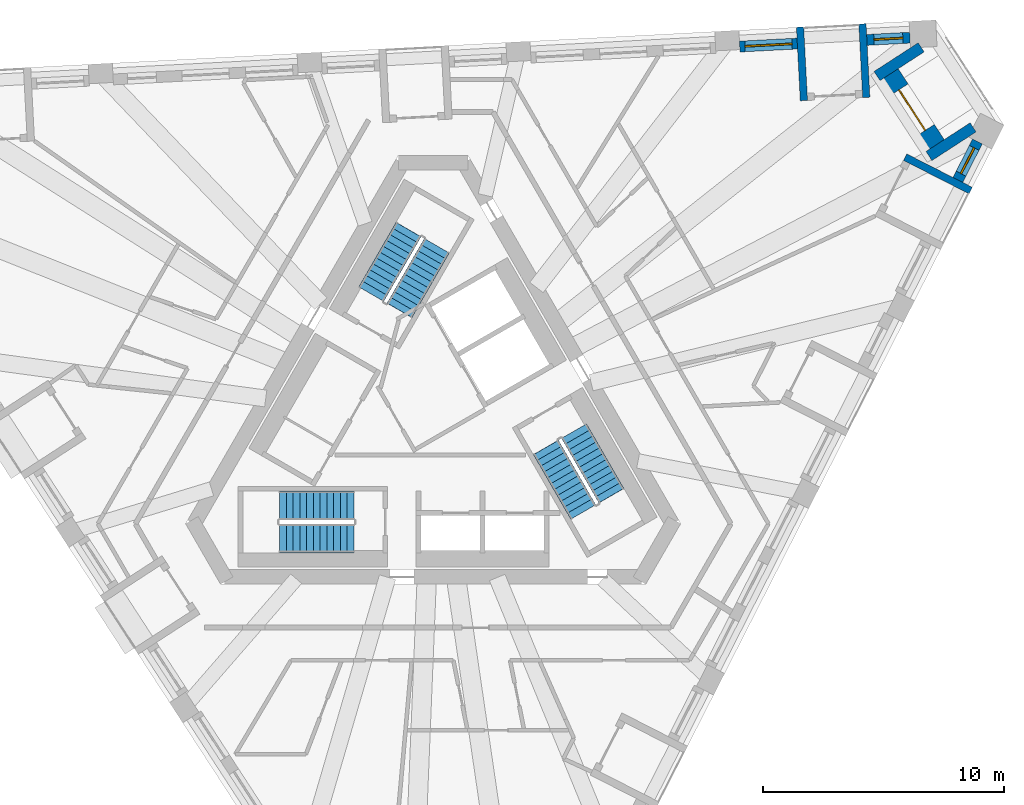
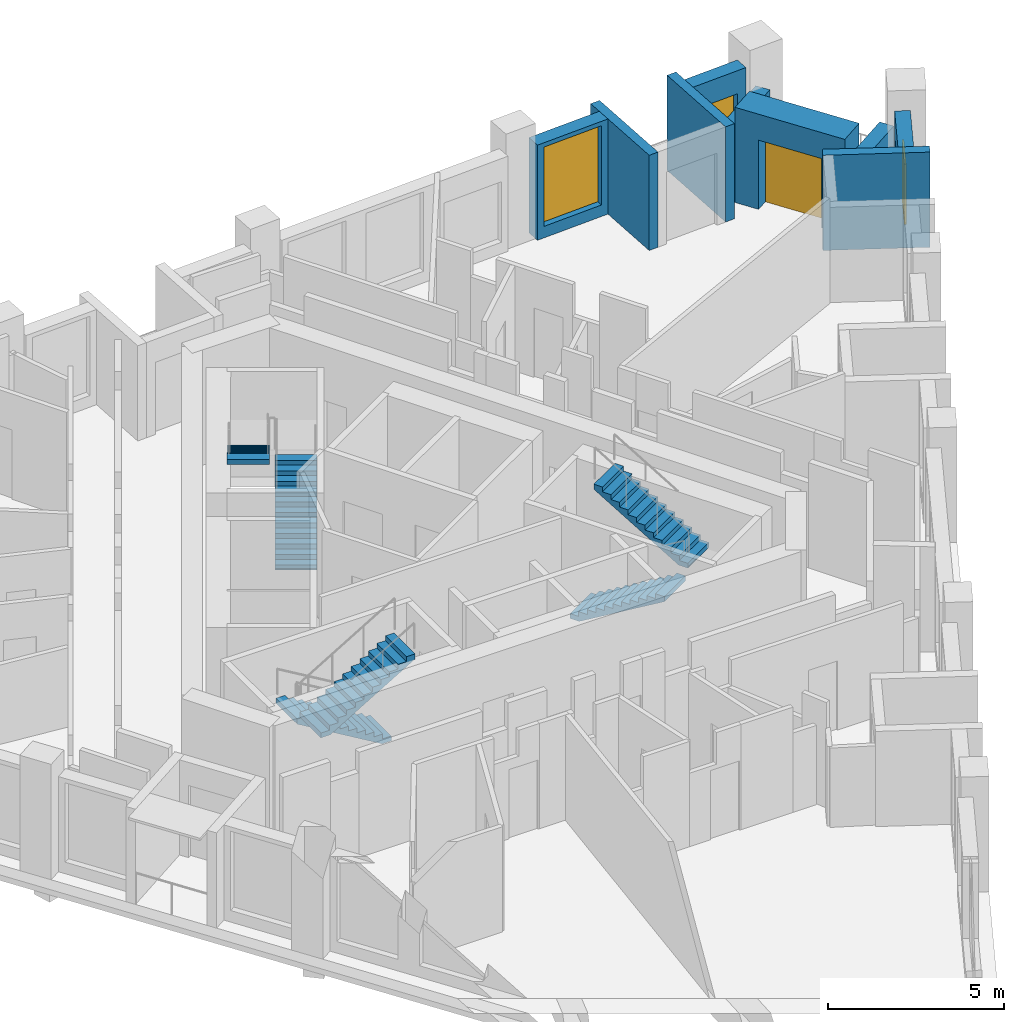
# One storey, part 9 of 13: 9 walls, 6 stair flights, 3 windows, 1 door, 4 openings, 3 elements without a shape of their own.
"""IFC4 building model written with IfcOpenShell, lengths in metres."""

import ifcopenshell
import ifcopenshell.guid

model = None  # the IFC model being written
_history = None  # IfcOwnerHistory: only IFC2X3 demands one
_inside = {}  # id of a spatial element -> (the spatial element, [elements in it])
_under = {}  # id of a project, library or spatial element -> (it, [spatial elements below it])
_declared = {}  # id of a project -> (the project, [libraries it declares])
_typed = {}  # id of a type object -> (the type object, [elements of that type])
_made_of = {}  # id of a material, layer set ... -> (it, [elements and type objects made of it])


def new_model(schema):
    """Start an empty IFC model of exactly this schema.

    Asked for "IFC4X3", IfcOpenShell would pick the latest addendum, in which some entities
    have other attributes; the version numbers below select the first issue.
    IFC2X3 requires an IfcOwnerHistory on every rooted entity: one is made here for all.
    """
    global model, _history
    if schema == "IFC4X3":
        model = ifcopenshell.file(schema_version=(4, 3, 0, 0))
    else:
        model = ifcopenshell.file(schema=schema)
    _inside.clear()
    _under.clear()
    _declared.clear()
    _typed.clear()
    _made_of.clear()
    _history = None
    if model.schema == "IFC2X3":
        org = make("IfcOrganization", Name="unknown")
        user = make(
            "IfcPersonAndOrganization",
            ThePerson=make("IfcPerson", FamilyName="unknown"),
            TheOrganization=org,
        )
        app = make(
            "IfcApplication",
            ApplicationDeveloper=org,
            Version="unknown",
            ApplicationFullName="unknown",
            ApplicationIdentifier="unknown",
        )
        _history = make(
            "IfcOwnerHistory",
            OwningUser=user,
            OwningApplication=app,
            ChangeAction="ADDED",
            CreationDate=0,
        )
    return model


def make(cls, **values):
    """One entity of the class cls with the attributes given. An attribute that is None is left unset."""
    return model.create_entity(
        cls, **{name: value for name, value in values.items() if value is not None}
    )


def rooted(cls, **values):
    """An entity with a GlobalId (a new one), such as an element, a storey or a relation."""
    return make(cls, GlobalId=ifcopenshell.guid.new(), OwnerHistory=_history, **values)


def si_unit(unit_type, name, prefix=None):
    """IfcSIUnit, for example si_unit("LENGTHUNIT", "METRE", prefix="MILLI")."""
    return make("IfcSIUnit", UnitType=unit_type, Prefix=prefix, Name=name)


def assignment(units):
    """IfcUnitAssignment: the units of a project."""
    return None if units is None else make("IfcUnitAssignment", Units=units)


def point(xyz):
    """IfcCartesianPoint."""
    return None if xyz is None else make("IfcCartesianPoint", Coordinates=xyz)


def direction(xyz):
    """IfcDirection."""
    return None if xyz is None else make("IfcDirection", DirectionRatios=xyz)


def frame(location, z_axis=None, x_axis=None):
    """IfcAxis2Placement3D, a coordinate frame: its origin and axes. An axis left out is left unset."""
    return make(
        "IfcAxis2Placement3D",
        Location=point(location),
        Axis=direction(z_axis),
        RefDirection=direction(x_axis),
    )


def frame_2d(location, x_axis=None):
    """IfcAxis2Placement2D, a coordinate frame in the plane: its origin and x axis."""
    return make(
        "IfcAxis2Placement2D", Location=point(location), RefDirection=direction(x_axis)
    )


def origin():
    """The frame at (0, 0, 0) with its axes left unset."""
    return frame((0.0, 0.0, 0.0))


def place(relative_to, where):
    """IfcLocalPlacement: puts the frame where relative to a parent placement (None: the world)."""
    return make(
        "IfcLocalPlacement", PlacementRelTo=relative_to, RelativePlacement=where
    )


def context(
    kind, dimensions, precision=None, world=None, true_north=None, identifier=None
):
    """IfcGeometricRepresentationContext, for example the 3D "Model" context."""
    return make(
        "IfcGeometricRepresentationContext",
        ContextIdentifier=identifier,
        ContextType=kind,
        CoordinateSpaceDimension=dimensions,
        Precision=precision,
        WorldCoordinateSystem=world,
        TrueNorth=true_north,
    )


def subcontext(parent, identifier, kind, view, scale=None):
    """IfcGeometricRepresentationSubContext, for example "Body" below "Model"."""
    return make(
        "IfcGeometricRepresentationSubContext",
        ContextIdentifier=identifier,
        ContextType=kind,
        ParentContext=parent,
        TargetScale=scale,
        TargetView=view,
    )


def project(units=None, contexts=None):
    """IfcProject with its units and contexts."""
    return rooted(
        "IfcProject",
        Name="project",
        RepresentationContexts=contexts,
        UnitsInContext=assignment(units),
    )


def spatial(cls, under=None, at=None, **own):
    """A site, building, storey or space (cls), placed at a placement, below another one or the project."""
    s = rooted(cls, ObjectPlacement=at, **own)
    if under is not None:
        _under.setdefault(under.id(), (under, []))[1].append(s)
    return s


def polyline(points):
    """IfcPolyline through the points."""
    return make("IfcPolyline", Points=[point(p) for p in points])


def profile(cls, at=None, kind="AREA", **sizes):
    """A parametric profile (cls). Its sizes go by their IFC names, for example OverallWidth=200.0."""
    return make(cls, ProfileType=kind, Position=at, **sizes)


def rectangle(**sizes):
    """IfcRectangleProfileDef."""
    return profile("IfcRectangleProfileDef", **sizes)


def outline(outer, holes=None, kind="AREA"):
    """IfcArbitraryClosedProfileDef: a profile drawn as a closed curve; with holes, ...WithVoids."""
    if holes is None:
        return make("IfcArbitraryClosedProfileDef", ProfileType=kind, OuterCurve=outer)
    return make(
        "IfcArbitraryProfileDefWithVoids",
        ProfileType=kind,
        OuterCurve=outer,
        InnerCurves=holes,
    )


def extrude(swept, where, along, depth):
    """IfcExtrudedAreaSolid: the profile swept, set in the frame where, extruded along a direction by depth."""
    return make(
        "IfcExtrudedAreaSolid",
        SweptArea=swept,
        Position=where,
        ExtrudedDirection=direction(along),
        Depth=depth,
    )


def shape(context_of_items, identifier, shape_type, items):
    """IfcShapeRepresentation: the items that make up one representation, for example the "Body"."""
    return make(
        "IfcShapeRepresentation",
        ContextOfItems=context_of_items,
        RepresentationIdentifier=identifier,
        RepresentationType=shape_type,
        Items=items,
    )


def material(Name=None, Category=None):
    """IfcMaterial."""
    return make("IfcMaterial", Name=Name, Category=Category)


def layer(
    of_material, thickness, ventilated=None, Name=None, Category=None, Priority=None
):
    """IfcMaterialLayer: one layer of a wall or slab, of a material (None: an air gap)."""
    return make(
        "IfcMaterialLayer",
        Material=of_material,
        LayerThickness=thickness,
        IsVentilated=ventilated,
        Name=Name,
        Category=Category,
        Priority=Priority,
    )


def layer_set(layers, Name=None):
    """IfcMaterialLayerSet."""
    return make("IfcMaterialLayerSet", MaterialLayers=layers, LayerSetName=Name)


def made_of(thing, what):
    """Note that an element or type object is made of a material, layer set ...; save() writes the relation."""
    if what is not None:
        _made_of.setdefault(what.id(), (what, []))[1].append(thing)
    return thing


def type_object(cls, material=None, **own):
    """A type object (cls), such as IfcWallType, which elements share."""
    return made_of(rooted(cls, **own), material)


def element(
    cls,
    number,
    at=None,
    inside=None,
    cuts=None,
    type_object=None,
    material=None,
    context=None,
    identifier="Body",
    shape_type=None,
    held_by="IfcProductDefinitionShape",
    body=None,
    shapes=None,
    **own,
):
    """One element of the class cls, such as IfcWall. Its Tag is "e" and its number.

    at: its placement. inside: the storey or other place that contains it. cuts: it is an
    opening in that element (IfcRelVoidsElement). A single representation is given by context,
    identifier, shape_type and body (its items); several are given by shapes. held_by: the class
    of the entity that holds the representations. save() writes the other relations.
    """
    e = rooted(cls, Tag="e%d" % number, ObjectPlacement=at, **own)
    if body is not None:
        shapes = [shape(context, identifier, shape_type, body)]
    if shapes is not None:
        e.Representation = make(held_by, Representations=shapes)
    if inside is not None:
        _inside.setdefault(inside.id(), (inside, []))[1].append(e)
    if cuts is not None:
        rooted(
            "IfcRelVoidsElement", RelatingBuildingElement=cuts, RelatedOpeningElement=e
        )
    if type_object is not None:
        _typed.setdefault(type_object.id(), (type_object, []))[1].append(e)
    return made_of(e, material)


def fill(opening, filler):
    """IfcRelFillsElement: the door or window that sits in an opening."""
    return rooted(
        "IfcRelFillsElement",
        RelatingOpeningElement=opening,
        RelatedBuildingElement=filler,
    )


def aggregate(whole, parts):
    """IfcRelAggregates: a whole, such as a stair, and the parts it consists of."""
    return rooted("IfcRelAggregates", RelatingObject=whole, RelatedObjects=parts)


def save(model, path):
    """Write the relations noted so far, then the file.

    IfcRelAggregates (storeys below a building ...), IfcRelContainedInSpatialStructure (elements
    in a storey), IfcRelDefinesByType, IfcRelAssociatesMaterial and IfcRelDeclares: one each for
    every whole, place, type object, material and project.
    """
    for whole, parts in _under.values():
        aggregate(whole, parts)
    for where, things in _inside.values():
        rooted(
            "IfcRelContainedInSpatialStructure",
            RelatedElements=things,
            RelatingStructure=where,
        )
    for kind, things in _typed.values():
        rooted("IfcRelDefinesByType", RelatedObjects=things, RelatingType=kind)
    for what, things in _made_of.values():
        rooted("IfcRelAssociatesMaterial", RelatedObjects=things, RelatingMaterial=what)
    for by, libraries in _declared.values():
        rooted("IfcRelDeclares", RelatingContext=by, RelatedDefinitions=libraries)
    model.write(path)


model = new_model("IFC4")

# Units and contexts
model_context = context("Model", 3, precision=1e-05, world=origin(), true_north=direction((0.0, 1.0)))
body_context = subcontext(model_context, "Body", "Model", "MODEL_VIEW")
ifc_project = project(units=[si_unit("LENGTHUNIT", "METRE"), si_unit("AREAUNIT", "SQUARE_METRE"), si_unit("VOLUMEUNIT", "CUBIC_METRE"), si_unit("PLANEANGLEUNIT", "RADIAN"), si_unit("MASSUNIT", "GRAM", prefix="KILO")], contexts=[model_context])

# Site, building, storey
site_placement = place(None, origin())
site = spatial("IfcSite", under=ifc_project, at=site_placement, CompositionType="ELEMENT")
building_placement = place(site_placement, origin())
building = spatial("IfcBuilding", under=site, at=building_placement, Name="Tramontana Tower", CompositionType="ELEMENT")
storey_placement = place(building_placement, frame((0.0, 0.0, 290.39990234375)))
storey = spatial("IfcBuildingStorey", under=building, at=storey_placement, Name="L68", CompositionType="ELEMENT", Elevation=290.39990234375)

# Wall, opening, window
ifc_material_1 = material(Name="Precast concrete 60 MPa", Category="concrete")
ifc_layer_1 = layer(ifc_material_1, 0.449951171875)
ifc_layer_set_1 = layer_set([ifc_layer_1], Name="Precast concrete 60 MPa, 450 mm")
wall_type_1 = type_object("IfcWallType", Name="EW1 Stone-faced precast wall 450", PredefinedType="SOLIDWALL", material=ifc_layer_set_1)
wall_1_placement = place(storey_placement, frame((21.727783203125, 9.98828125, 0.0), z_axis=(0.0, 0.0, 1.0), x_axis=(0.454032211525, 0.890985269742, 0.0)))
wall_1 = element("IfcWall", 1, at=wall_1_placement, inside=storey, type_object=wall_type_1, Name="External wall L68 face 1 bay 5", PredefinedType="SOLIDWALL", context=body_context, shape_type="SweptSolid", body=[
    extrude(rectangle(XDim=1.786865234375, YDim=0.449951171875, at=frame_2d((0.8935546875, 0.0))), origin(), (0.0, 0.0, 1.0), 3.300048828125),
])
opening_1_placement = place(wall_1_placement, frame((0.29345703125, 0.0, 0.39990234375)))
opening_1 = element("IfcOpeningElement", 2, at=opening_1_placement, cuts=wall_1, Name="Opening N3L", PredefinedType="OPENING", context=body_context, shape_type="SweptSolid", body=[
    extrude(rectangle(XDim=1.199951171875, YDim=2.10009765625, at=frame_2d((0.60009765625, 1.050048828125))), frame((0.0, 0.23486328125, 0.0), z_axis=(0.0, -1.0, 0.0), x_axis=(1.0, 0.0, 0.0)), (0.0, 0.0, 1.0), 0.469970703125),
])
ifc_material_2 = material(Name="Aluminum frame, double glazing unit", Category="aluminium")
window_type_1 = type_object("IfcWindowType", Name="N3L Window 1.2 x 2.1", PartitioningType="SINGLE_PANEL", PredefinedType="WINDOW", material=ifc_material_2)
window_1_placement = place(opening_1_placement, origin())
window_1 = element("IfcWindow", 3, at=window_1_placement, inside=storey, type_object=window_type_1, Name="Window N3L L68 face 1 module 15", OverallHeight=2.10009765625, OverallWidth=1.199951171875, PartitioningType="SINGLE_PANEL", PredefinedType="WINDOW", context=body_context, shape_type="SweptSolid", body=[
    extrude(rectangle(XDim=1.199951171875, YDim=2.10009765625, at=frame_2d((0.60009765625, 1.050048828125))), frame((0.0, 0.030029296875, 0.0), z_axis=(0.0, -1.0, 0.0), x_axis=(1.0, 0.0, 0.0)), (0.0, 0.0, 1.0), 0.06005859375),
])
fill(opening_1, window_1)

wall_2_placement = place(storey_placement, frame((19.74658203125, 15.880126953125, 0.0), z_axis=(0.0, 0.0, 1.0), x_axis=(-0.998629506551, -0.052336494391, 0.0)))
wall_2 = element("IfcWall", 4, at=wall_2_placement, inside=storey, type_object=wall_type_1, Name="External wall L68 face 2 bay 1", PredefinedType="SOLIDWALL", context=body_context, shape_type="SweptSolid", body=[
    extrude(rectangle(XDim=1.78662109375, YDim=0.449951171875, at=frame_2d((0.893310546875, 0.0))), origin(), (0.0, 0.0, 1.0), 3.300048828125),
])
opening_2_placement = place(wall_2_placement, frame((0.29345703125, 0.0, 0.39990234375)))
opening_2 = element("IfcOpeningElement", 5, at=opening_2_placement, cuts=wall_2, Name="Opening N3L", PredefinedType="OPENING", context=body_context, shape_type="SweptSolid", body=[
    extrude(rectangle(XDim=1.199951171875, YDim=2.10009765625, at=frame_2d((0.60009765625, 1.050048828125))), frame((0.0, 0.23486328125, 0.0), z_axis=(0.0, -1.0, 0.0), x_axis=(1.0, 0.0, 0.0)), (0.0, 0.0, 1.0), 0.469970703125),
])
window_2_placement = place(opening_2_placement, origin())
window_2 = element("IfcWindow", 6, at=window_2_placement, inside=storey, type_object=window_type_1, Name="Window N3L L68 face 2 module 1", OverallHeight=2.10009765625, OverallWidth=1.199951171875, PartitioningType="SINGLE_PANEL", PredefinedType="WINDOW", context=body_context, shape_type="SweptSolid", body=[
    extrude(rectangle(XDim=1.199951171875, YDim=2.10009765625, at=frame_2d((0.60009765625, 1.050048828125))), frame((0.0, 0.030029296875, 0.0), z_axis=(0.0, -1.0, 0.0), x_axis=(1.0, 0.0, 0.0)), (0.0, 0.0, 1.0), 0.06005859375),
])
fill(opening_2, window_2)

wall_3_placement = place(storey_placement, frame((15.07958984375, 15.6357421875, 0.0), z_axis=(0.0, 0.0, 1.0), x_axis=(-0.998627701279, -0.052370929331, 0.0)))
wall_3 = element("IfcWall", 7, at=wall_3_placement, inside=storey, type_object=wall_type_1, Name="External wall L68 face 2 bay 1", PredefinedType="SOLIDWALL", context=body_context, shape_type="SweptSolid", body=[
    extrude(rectangle(XDim=2.38671875, YDim=0.449951171875, at=frame_2d((1.193359375, 0.0))), origin(), (0.0, 0.0, 1.0), 3.300048828125),
])
opening_3_placement = place(wall_3_placement, frame((0.21826171875, 0.0, 0.39990234375)))
opening_3 = element("IfcOpeningElement", 8, at=opening_3_placement, cuts=wall_3, Name="Opening M3", PredefinedType="OPENING", context=body_context, shape_type="SweptSolid", body=[
    extrude(rectangle(XDim=1.949951171875, YDim=2.75, at=frame_2d((0.97509765625, 1.375))), frame((0.0, 0.23486328125, 0.0), z_axis=(0.0, -1.0, 0.0), x_axis=(1.0, 0.0, 0.0)), (0.0, 0.0, 1.0), 0.469970703125),
])
ifc_material_3 = material(Name="Aluminum frame, double glazing unit", Category="aluminium")
window_type_2 = type_object("IfcWindowType", Name="M3 Window 1.95 x 2.75", PartitioningType="SINGLE_PANEL", PredefinedType="WINDOW", material=ifc_material_3)
window_3_placement = place(opening_3_placement, origin())
window_3 = element("IfcWindow", 9, at=window_3_placement, inside=storey, type_object=window_type_2, Name="Window M3 L68 face 2 module 3", OverallHeight=2.75, OverallWidth=1.949951171875, PartitioningType="SINGLE_PANEL", PredefinedType="WINDOW", context=body_context, shape_type="SweptSolid", body=[
    extrude(rectangle(XDim=1.949951171875, YDim=2.75, at=frame_2d((0.97509765625, 1.375))), frame((0.0, 0.030029296875, 0.0), z_axis=(0.0, -1.0, 0.0), x_axis=(1.0, 0.0, 0.0)), (0.0, 0.0, 1.0), 0.06005859375),
])
fill(opening_3, window_3)

# Walls
for number, where, z_axis, x_axis, name in (
    (10, (20.209228515625, 15.478759765625, 0.0), (0.0, 0.0, 1.0), (-0.838694375731, -0.544602372486, 0.0), "Corner loggia side wall L68 K72l"),
    (11, (22.3603515625, 12.166015625, 0.0), (0.0, 0.0, 1.0), (-0.838694375731, -0.544602372486, 0.0), "Corner loggia side wall L68 K72r"),
):
    element("IfcWall", number, at=place(storey_placement, frame(where, z_axis=z_axis, x_axis=x_axis)), inside=storey, type_object=wall_type_1, Name=name, PredefinedType="SOLIDWALL", context=body_context, shape_type="SweptSolid", body=[
        extrude(rectangle(XDim=2.17919921875, YDim=0.449951171875, at=frame_2d((1.089599609375, 0.0))), origin(), (0.0, 0.0, 1.0), 2.550048828125),
    ])

# Wall, opening, door
ifc_material_4 = material(Name="Precast concrete 60 MPa", Category="concrete")
ifc_layer_2 = layer(ifc_material_4, 0.89990234375)
ifc_layer_set_2 = layer_set([ifc_layer_2], Name="EW2 Stone-faced corner loggia wall 900")
wall_type_2 = type_object("IfcWallType", Name="EW2 Stone-faced corner loggia wall 900", PredefinedType="SOLIDWALL", material=ifc_layer_set_2)
wall_4_placement = place(storey_placement, frame((18.88134765625, 14.348388671875, 0.0), z_axis=(0.0, 0.0, 1.0), x_axis=(0.544647498784, -0.838665071449, 0.0)))
wall_4 = element("IfcWall", 12, at=wall_4_placement, inside=storey, type_object=wall_type_2, Name="Corner loggia wall L68 K72", PredefinedType="SOLIDWALL", context=body_context, shape_type="SweptSolid", body=[
    extrude(rectangle(XDim=3.5, YDim=0.89990234375, at=frame_2d((1.75, 0.0))), origin(), (0.0, 0.0, 1.0), 3.300048828125),
])
opening_4_placement = place(wall_4_placement, frame((0.75, 0.0, 0.0)))
opening_4 = element("IfcOpeningElement", 13, at=opening_4_placement, cuts=wall_4, Name="Opening BD-72C", PredefinedType="OPENING", context=body_context, shape_type="SweptSolid", body=[
    extrude(rectangle(XDim=2.0, YDim=2.39990234375, at=frame_2d((1.0, 1.199951171875))), frame((0.0, 0.4599609375, 0.0), z_axis=(0.0, -1.0, 0.0), x_axis=(1.0, 0.0, 0.0)), (0.0, 0.0, 1.0), 0.919921875),
])
ifc_material_5 = material(Name="Aluminum frame, double glazing unit", Category="aluminium")
door_type = type_object("IfcDoorType", Name="BC1 Sliding door 2 x 2.4", OperationType="SLIDING_TO_LEFT", PredefinedType="DOOR", material=ifc_material_5)
door_placement = place(opening_4_placement, origin())
door = element("IfcDoor", 14, at=door_placement, inside=storey, type_object=door_type, Name="Corner loggia door L68 K72", OperationType="SLIDING_TO_LEFT", OverallHeight=2.39990234375, OverallWidth=2.0, PredefinedType="DOOR", context=body_context, shape_type="SweptSolid", body=[
    extrude(rectangle(XDim=2.0, YDim=2.39990234375, at=frame_2d((1.0, 1.199951171875))), frame((0.0, 0.02490234375, 0.0), z_axis=(0.0, -1.0, 0.0), x_axis=(1.0, 0.0, 0.0)), (0.0, 0.0, 1.0), 0.050048828125),
])
fill(opening_4, door)

# Walls
ifc_material_6 = material(Name="Precast concrete 60 MPa", Category="concrete")
ifc_layer_3 = layer(ifc_material_6, 0.300048828125)
ifc_layer_set_3 = layer_set([ifc_layer_3], Name="LW1 Stone-faced loggia wall 300")
wall_type_3 = type_object("IfcWallType", Name="LW1 Stone-faced loggia wall 300", PredefinedType="SOLIDWALL", material=ifc_layer_set_3)
wall_5_placement = place(storey_placement, frame((22.26123046875, 9.54833984375, 0.0), z_axis=(0.0, 0.0, 1.0), x_axis=(-0.891040107702, 0.453924582355, 0.0)))
element("IfcWall", 15, at=wall_5_placement, inside=storey, type_object=wall_type_3, Name="Loggia return L68 G7S1.13b", PredefinedType="SOLIDWALL", context=body_context, shape_type="SweptSolid", body=[
    extrude(rectangle(XDim=3.050048828125, YDim=0.300048828125, at=frame_2d((1.52490234375, 0.0))), origin(), (0.0, 0.0, 1.0), 3.300048828125),
])
wall_6_placement = place(storey_placement, frame((17.777099609375, 16.452880859375, 0.0), z_axis=(0.0, 0.0, 1.0), x_axis=(0.052352956549, -0.998628643661, 0.0)))
element("IfcWall", 16, at=wall_6_placement, inside=storey, type_object=wall_type_3, Name="Loggia return L68 G7S2.1a", PredefinedType="SOLIDWALL", context=body_context, shape_type="SweptSolid", body=[
    extrude(rectangle(XDim=3.0498046875, YDim=0.300048828125, at=frame_2d((1.52490234375, 0.0))), origin(), (0.0, 0.0, 1.0), 3.300048828125),
])
wall_7_placement = place(storey_placement, frame((15.19384765625, 16.317626953125, 0.0), z_axis=(0.0, 0.0, 1.0), x_axis=(0.052348771756, -0.99862886304, 0.0)))
element("IfcWall", 17, at=wall_7_placement, inside=storey, type_object=wall_type_3, Name="Loggia return L68 G7S2.1b", PredefinedType="SOLIDWALL", context=body_context, shape_type="SweptSolid", body=[
    extrude(rectangle(XDim=3.050048828125, YDim=0.300048828125, at=frame_2d((1.52490234375, 0.0))), origin(), (0.0, 0.0, 1.0), 3.300048828125),
])

# Stair, stair flights
ifc_material_7 = material(Name="Concrete 40 MPa", Category="concrete")
stair_type = type_object("IfcStairType", Name="EXIT STAIR 24 RISERS", PredefinedType="HALF_TURN_STAIR", material=ifc_material_7)
stair_1_placement = place(storey_placement, origin())
stair_1 = element("IfcStair", 18, at=stair_1_placement, inside=storey, type_object=stair_type, Name="L68 Exit stair ST1", PredefinedType="HALF_TURN_STAIR")
ifc_material_8 = material(Name="Concrete 40 MPa", Category="concrete")
ifc_layer_4 = layer(ifc_material_8, 0.14990234375)
ifc_layer_set_4 = layer_set([ifc_layer_4], Name="EXIT STAIR FLIGHT")
stair_flight_type = type_object("IfcStairFlightType", Name="EXIT STAIR FLIGHT", PredefinedType="STRAIGHT", material=ifc_layer_set_4)
stair_flight_1_placement = place(storey_placement, frame((-1.39111328125, 4.590576171875, 0.0), z_axis=(0.0, 0.0, 1.0), x_axis=(0.5, 0.866025403784, 0.0)))
stair_flight_1 = element("IfcStairFlight", 19, at=stair_flight_1_placement, type_object=stair_flight_type, Name="ST1 flight 1", NumberOfRisers=12, NumberOfTreads=11, PredefinedType="STRAIGHT", RiserHeight=0.166666667, TreadLength=0.28, context=body_context, shape_type="SweptSolid", body=[
    extrude(outline(polyline([(-0.006103515625, 0.0), (-0.006103515625, 0.0400390625), (0.0, 0.0400390625), (0.0, 0.166748046875), (0.280029296875, 0.166748046875), (0.280029296875, 0.333251953125), (0.56005859375, 0.333251953125), (0.56005859375, 0.5), (0.840087890625, 0.5), (0.840087890625, 0.666748046875), (1.1201171875, 0.666748046875), (1.1201171875, 0.833251953125), (1.39990234375, 0.833251953125), (1.39990234375, 1.0), (1.679931640625, 1.0), (1.679931640625, 1.166748046875), (1.9599609375, 1.166748046875), (1.9599609375, 1.333251953125), (2.239990234375, 1.333251953125), (2.239990234375, 1.5), (2.52001953125, 1.5), (2.52001953125, 1.666748046875), (2.800048828125, 1.666748046875), (2.800048828125, 1.833251953125), (3.080078125, 1.833251953125), (3.0859375, 1.833251953125), (3.0859375, 1.658935546875), (0.299072265625, 0.0), (-0.006103515625, 0.0)])), frame((0.0, 0.60009765625, 0.0), z_axis=(0.0, -1.0, 0.0), x_axis=(1.0, 0.0, 0.0)), (0.0, 0.0, 1.0), 1.199951171875),
])
stair_flight_2_placement = place(storey_placement, frame((-1.020263671875, 7.932861328125, 2.0), z_axis=(0.0, 0.0, 1.0), x_axis=(-0.5, -0.866025403784, 0.0)))
stair_flight_2 = element("IfcStairFlight", 20, at=stair_flight_2_placement, type_object=stair_flight_type, Name="ST1 flight 2", NumberOfRisers=12, NumberOfTreads=11, PredefinedType="STRAIGHT", RiserHeight=0.166666667, TreadLength=0.28, context=body_context, shape_type="SweptSolid", body=[
    extrude(outline(polyline([(-0.006103515625, 0.0), (-0.006103515625, 0.0400390625), (0.0, 0.0400390625), (0.0, 0.166748046875), (0.280029296875, 0.166748046875), (0.280029296875, 0.333251953125), (0.56005859375, 0.333251953125), (0.56005859375, 0.5), (0.840087890625, 0.5), (0.840087890625, 0.666748046875), (1.1201171875, 0.666748046875), (1.1201171875, 0.833251953125), (1.39990234375, 0.833251953125), (1.39990234375, 1.0), (1.679931640625, 1.0), (1.679931640625, 1.166748046875), (1.9599609375, 1.166748046875), (1.9599609375, 1.333251953125), (2.239990234375, 1.333251953125), (2.239990234375, 1.5), (2.52001953125, 1.5), (2.52001953125, 1.666748046875), (2.800048828125, 1.666748046875), (2.800048828125, 1.833251953125), (3.080078125, 1.833251953125), (3.0859375, 1.833251953125), (3.0859375, 1.658935546875), (0.299072265625, 0.0), (-0.006103515625, 0.0)])), frame((0.0, 0.60009765625, 0.0), z_axis=(0.0, -1.0, 0.0), x_axis=(1.0, 0.0, 0.0)), (0.0, 0.0, 1.0), 1.199951171875),
])
aggregate(stair_1, [stair_flight_1, stair_flight_2])

stair_2_placement = place(storey_placement, origin())
stair_2 = element("IfcStair", 21, at=stair_2_placement, inside=storey, type_object=stair_type, Name="L68 Exit stair ST2", PredefinedType="HALF_TURN_STAIR")
stair_flight_3_placement = place(storey_placement, frame((-3.280029296875, -3.5, 0.0), z_axis=(0.0, 0.0, 1.0), x_axis=(-1.0, 0.0, 0.0)))
stair_flight_3 = element("IfcStairFlight", 22, at=stair_flight_3_placement, type_object=stair_flight_type, Name="ST2 flight 1", NumberOfRisers=12, NumberOfTreads=11, PredefinedType="STRAIGHT", RiserHeight=0.166666667, TreadLength=0.28, context=body_context, shape_type="SweptSolid", body=[
    extrude(outline(polyline([(-0.006103515625, 0.0), (-0.006103515625, 0.0400390625), (0.0, 0.0400390625), (0.0, 0.166748046875), (0.280029296875, 0.166748046875), (0.280029296875, 0.333251953125), (0.56005859375, 0.333251953125), (0.56005859375, 0.5), (0.840087890625, 0.5), (0.840087890625, 0.666748046875), (1.1201171875, 0.666748046875), (1.1201171875, 0.833251953125), (1.39990234375, 0.833251953125), (1.39990234375, 1.0), (1.679931640625, 1.0), (1.679931640625, 1.166748046875), (1.9599609375, 1.166748046875), (1.9599609375, 1.333251953125), (2.239990234375, 1.333251953125), (2.239990234375, 1.5), (2.52001953125, 1.5), (2.52001953125, 1.666748046875), (2.800048828125, 1.666748046875), (2.800048828125, 1.833251953125), (3.080078125, 1.833251953125), (3.0859375, 1.833251953125), (3.0859375, 1.658935546875), (0.299072265625, 0.0), (-0.006103515625, 0.0)])), frame((0.0, 0.60009765625, 0.0), z_axis=(0.0, -1.0, 0.0), x_axis=(1.0, 0.0, 0.0)), (0.0, 0.0, 1.0), 1.199951171875),
])
stair_flight_4_placement = place(storey_placement, frame((-6.360107421875, -4.85009765625, 2.0), z_axis=(0.0, 0.0, 1.0), x_axis=(1.0, 0.0, 0.0)))
stair_flight_4 = element("IfcStairFlight", 23, at=stair_flight_4_placement, type_object=stair_flight_type, Name="ST2 flight 2", NumberOfRisers=12, NumberOfTreads=11, PredefinedType="STRAIGHT", RiserHeight=0.166666667, TreadLength=0.28, context=body_context, shape_type="SweptSolid", body=[
    extrude(outline(polyline([(-0.006103515625, 0.0), (-0.006103515625, 0.0400390625), (0.0, 0.0400390625), (0.0, 0.166748046875), (0.280029296875, 0.166748046875), (0.280029296875, 0.333251953125), (0.56005859375, 0.333251953125), (0.56005859375, 0.5), (0.840087890625, 0.5), (0.840087890625, 0.666748046875), (1.1201171875, 0.666748046875), (1.1201171875, 0.833251953125), (1.39990234375, 0.833251953125), (1.39990234375, 1.0), (1.679931640625, 1.0), (1.679931640625, 1.166748046875), (1.9599609375, 1.166748046875), (1.9599609375, 1.333251953125), (2.239990234375, 1.333251953125), (2.239990234375, 1.5), (2.52001953125, 1.5), (2.52001953125, 1.666748046875), (2.800048828125, 1.666748046875), (2.800048828125, 1.833251953125), (3.080078125, 1.833251953125), (3.0859375, 1.833251953125), (3.0859375, 1.658935546875), (0.299072265625, 0.0), (-0.006103515625, 0.0)])), frame((0.0, 0.60009765625, 0.0), z_axis=(0.0, -1.0, 0.0), x_axis=(1.0, 0.0, 0.0)), (0.0, 0.0, 1.0), 1.199951171875),
])
aggregate(stair_2, [stair_flight_3, stair_flight_4])

stair_3_placement = place(storey_placement, origin())
stair_3 = element("IfcStair", 24, at=stair_3_placement, inside=storey, type_object=stair_type, Name="L68 Exit stair ST3", PredefinedType="HALF_TURN_STAIR")
stair_flight_5_placement = place(storey_placement, frame((4.671142578125, -1.090576171875, 0.0), z_axis=(0.0, 0.0, 1.0), x_axis=(0.5, -0.866025403784, 0.0)))
stair_flight_5 = element("IfcStairFlight", 25, at=stair_flight_5_placement, type_object=stair_flight_type, Name="ST3 flight 1", NumberOfRisers=12, NumberOfTreads=11, PredefinedType="STRAIGHT", RiserHeight=0.166666667, TreadLength=0.28, context=body_context, shape_type="SweptSolid", body=[
    extrude(outline(polyline([(-0.006103515625, 0.0), (-0.006103515625, 0.0400390625), (0.0, 0.0400390625), (0.0, 0.166748046875), (0.280029296875, 0.166748046875), (0.280029296875, 0.333251953125), (0.56005859375, 0.333251953125), (0.56005859375, 0.5), (0.840087890625, 0.5), (0.840087890625, 0.666748046875), (1.1201171875, 0.666748046875), (1.1201171875, 0.833251953125), (1.39990234375, 0.833251953125), (1.39990234375, 1.0), (1.679931640625, 1.0), (1.679931640625, 1.166748046875), (1.9599609375, 1.166748046875), (1.9599609375, 1.333251953125), (2.239990234375, 1.333251953125), (2.239990234375, 1.5), (2.52001953125, 1.5), (2.52001953125, 1.666748046875), (2.800048828125, 1.666748046875), (2.800048828125, 1.833251953125), (3.080078125, 1.833251953125), (3.0859375, 1.833251953125), (3.0859375, 1.658935546875), (0.299072265625, 0.0), (-0.006103515625, 0.0)])), frame((0.0, 0.60009765625, 0.0), z_axis=(0.0, -1.0, 0.0), x_axis=(1.0, 0.0, 0.0)), (0.0, 0.0, 1.0), 1.199951171875),
])
stair_flight_6_placement = place(storey_placement, frame((7.380126953125, -3.0830078125, 2.0), z_axis=(0.0, 0.0, 1.0), x_axis=(-0.5, 0.866025403784, 0.0)))
stair_flight_6 = element("IfcStairFlight", 26, at=stair_flight_6_placement, type_object=stair_flight_type, Name="ST3 flight 2", NumberOfRisers=12, NumberOfTreads=11, PredefinedType="STRAIGHT", RiserHeight=0.166666667, TreadLength=0.28, context=body_context, shape_type="SweptSolid", body=[
    extrude(outline(polyline([(-0.006103515625, 0.0), (-0.006103515625, 0.0400390625), (0.0, 0.0400390625), (0.0, 0.166748046875), (0.280029296875, 0.166748046875), (0.280029296875, 0.333251953125), (0.56005859375, 0.333251953125), (0.56005859375, 0.5), (0.840087890625, 0.5), (0.840087890625, 0.666748046875), (1.1201171875, 0.666748046875), (1.1201171875, 0.833251953125), (1.39990234375, 0.833251953125), (1.39990234375, 1.0), (1.679931640625, 1.0), (1.679931640625, 1.166748046875), (1.9599609375, 1.166748046875), (1.9599609375, 1.333251953125), (2.239990234375, 1.333251953125), (2.239990234375, 1.5), (2.52001953125, 1.5), (2.52001953125, 1.666748046875), (2.800048828125, 1.666748046875), (2.800048828125, 1.833251953125), (3.080078125, 1.833251953125), (3.0859375, 1.833251953125), (3.0859375, 1.658935546875), (0.299072265625, 0.0), (-0.006103515625, 0.0)])), frame((0.0, 0.60009765625, 0.0), z_axis=(0.0, -1.0, 0.0), x_axis=(1.0, 0.0, 0.0)), (0.0, 0.0, 1.0), 1.199951171875),
])
aggregate(stair_3, [stair_flight_5, stair_flight_6])

save(model, "model.ifc")
